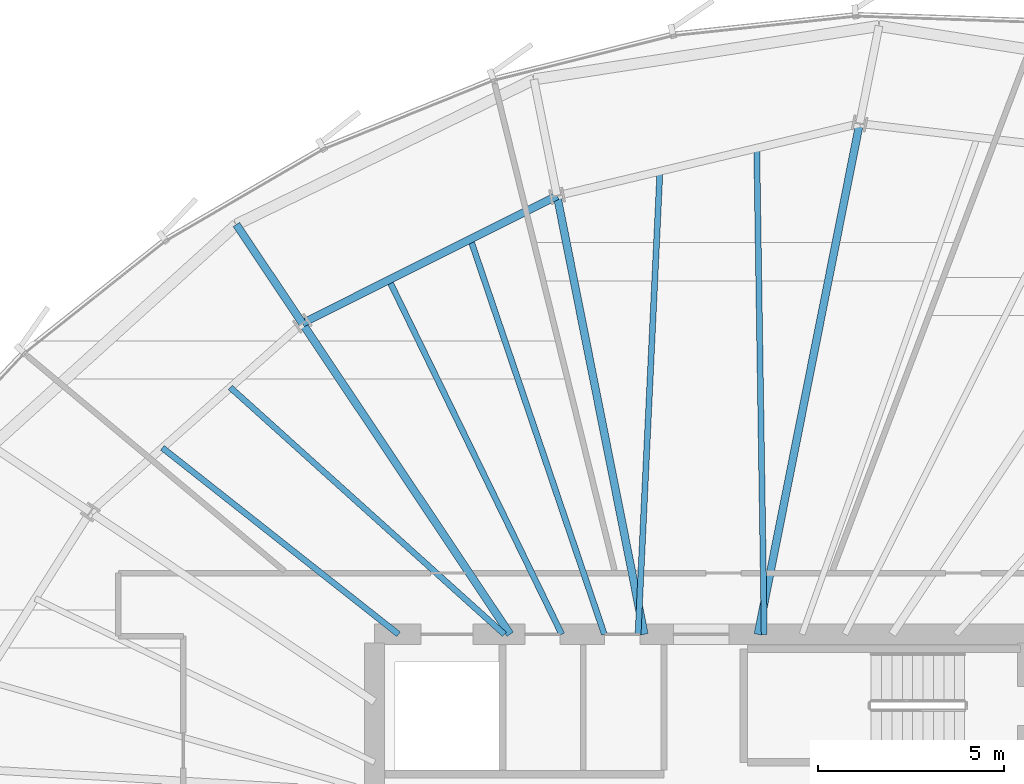
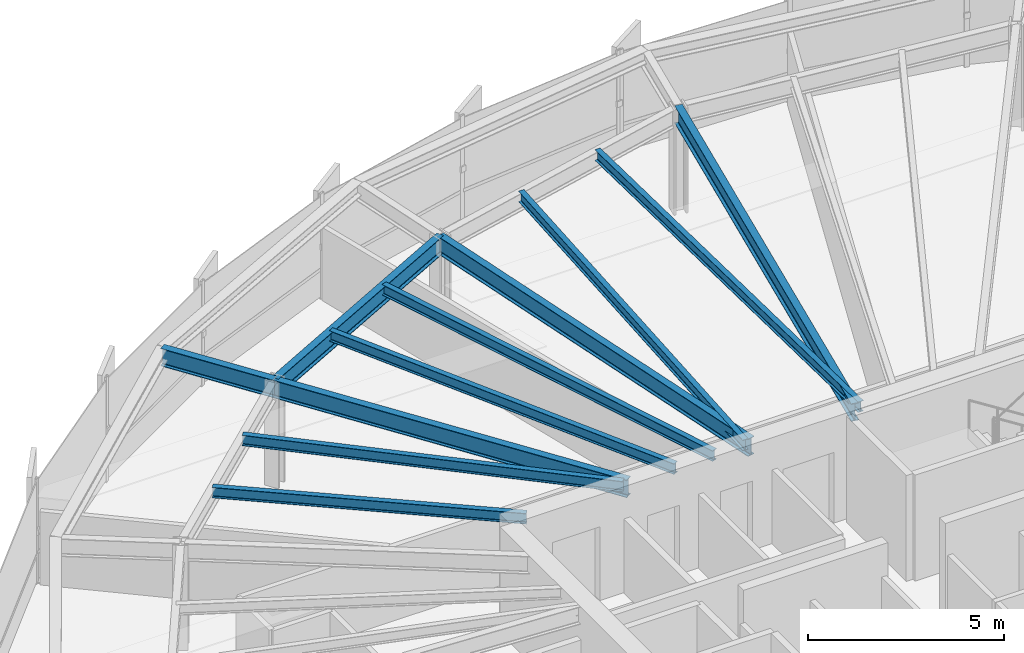
# One storey, part 21 of 35: 11 beams.
"""IFC4 building model written with IfcOpenShell, lengths in metres."""

from ifc_helpers import new_model, si_unit, direction, frame, origin, origin_2d, place, context, subcontext, project, spatial, i_section, extrude, source, transform, mapped, material, material_profile, profile_set, type_object, element, save


model = new_model("IFC4")

# Units and contexts
model_context = context("Model", 3, precision=1e-05, world=origin(), true_north=direction((0.0, 1.0)))
body_context = subcontext(model_context, "Body", "Model", "MODEL_VIEW")
ifc_project = project(units=[si_unit("LENGTHUNIT", "METRE"), si_unit("AREAUNIT", "SQUARE_METRE"), si_unit("VOLUMEUNIT", "CUBIC_METRE"), si_unit("PLANEANGLEUNIT", "RADIAN"), si_unit("MASSUNIT", "GRAM", prefix="KILO"), si_unit("THERMODYNAMICTEMPERATUREUNIT", "KELVIN")], contexts=[model_context])

# Site, building, storey
site_placement = place(None, origin())
site = spatial("IfcSite", under=ifc_project, at=site_placement, CompositionType="ELEMENT")
building_placement = place(site_placement, origin())
building = spatial("IfcBuilding", under=site, at=building_placement, Name="Kethvar Cultural Tower", CompositionType="ELEMENT")
storey_placement = place(building_placement, frame((0.0, 0.0, 139.449951171875)))
storey = spatial("IfcBuildingStorey", under=building, at=storey_placement, Name="L35", CompositionType="ELEMENT", Elevation=139.449951171875)

# Beams
ifc_material = material(Name="Steel S355J2", Category="steel")
ifc_material_profile_1 = material_profile(ifc_material, i_section(OverallWidth=0.2099609375, OverallDepth=0.550048828125, WebThickness=0.010986328125, FlangeThickness=0.01708984375, FilletRadius=0.02392578125, at=origin_2d()), Name="Steel S355J2 — IPE550")
ifc_profile_set_1 = profile_set([ifc_material_profile_1], Name="Steel S355J2 — IPE550")
beam_type_1 = type_object("IfcBeamType", Name="BM-IPE550", PredefinedType="BEAM", material=ifc_profile_set_1)
shared_shape_1 = source(origin(), body_context, "Body", "SweptSolid", [
    extrude(i_section(OverallWidth=0.2099609375, OverallDepth=0.550048828125, WebThickness=0.010986328125, FlangeThickness=0.01708984375, FilletRadius=0.02392578125, at=origin_2d()), origin(), (0.0, 0.0, 1.0), 3.2001953125),
])
beam_1_placement = place(storey_placement, frame((36.0576171875, 43.877197265625, 3.02294921875), z_axis=(-0.555544970406, 0.831486491686, 0.0), x_axis=(-0.831486491686, -0.555544970406, 0.0)))
element("IfcBeam", 1, at=beam_1_placement, inside=storey, type_object=beam_type_1, Name="L35 Perimeter Cantilever Beam RC-06", PredefinedType="BEAM", context=body_context, shape_type="MappedRepresentation", body=[
    mapped(shared_shape_1, transform((0.0, 0.0, 0.0), scale=1.0)),
])
shared_shape_2 = source(origin(), body_context, "Body", "SweptSolid", [
    extrude(i_section(OverallWidth=0.2099609375, OverallDepth=0.550048828125, WebThickness=0.010986328125, FlangeThickness=0.01708984375, FilletRadius=0.02392578125, at=origin_2d()), origin(), (0.0, 0.0, 1.0), 14.02880859375),
])
beam_2_placement = place(storey_placement, frame((48.33154296875, 35.5, 3.02294921875), z_axis=(0.195101986683, 0.980782960085, 0.0), x_axis=(-0.980782960085, 0.195101986683, 0.0)))
element("IfcBeam", 2, at=beam_2_placement, inside=storey, type_object=beam_type_1, Name="L35 Primary Radial Beam RB-04", PredefinedType="BEAM", context=body_context, shape_type="MappedRepresentation", body=[
    mapped(shared_shape_2, transform((0.0, 0.0, 0.0), scale=1.0)),
])
shared_shape_3 = source(origin(), body_context, "Body", "SweptSolid", [
    extrude(i_section(OverallWidth=0.2099609375, OverallDepth=0.550048828125, WebThickness=0.010986328125, FlangeThickness=0.01708984375, FilletRadius=0.02392578125, at=origin_2d()), origin(), (0.0, 0.0, 1.0), 12.042724609375),
])
beam_3_placement = place(storey_placement, frame((45.268310546875, 35.5, 3.02294921875), z_axis=(-0.195086784047, 0.980785984142, 0.0), x_axis=(-0.980785984142, -0.195086784047, 0.0)))
element("IfcBeam", 3, at=beam_3_placement, inside=storey, type_object=beam_type_1, Name="L35 Primary Radial Beam RB-05", PredefinedType="BEAM", context=body_context, shape_type="MappedRepresentation", body=[
    mapped(shared_shape_3, transform((0.0, 0.0, 0.0), scale=1.0)),
])
shared_shape_4 = source(origin(), body_context, "Body", "SweptSolid", [
    extrude(i_section(OverallWidth=0.2099609375, OverallDepth=0.550048828125, WebThickness=0.010986328125, FlangeThickness=0.01708984375, FilletRadius=0.02392578125, at=origin_2d()), origin(), (0.0, 0.0, 1.0), 10.0751953125),
])
beam_4_placement = place(storey_placement, frame((41.655029296875, 35.5, 3.02294921875), z_axis=(-0.555566654614, 0.831472003305, 0.0), x_axis=(-0.831472003305, -0.555566654614, 0.0)))
element("IfcBeam", 4, at=beam_4_placement, inside=storey, type_object=beam_type_1, Name="L35 Primary Radial Beam RB-06", PredefinedType="BEAM", context=body_context, shape_type="MappedRepresentation", body=[
    mapped(shared_shape_4, transform((0.0, 0.0, 0.0), scale=1.0)),
])
ifc_material_profile_2 = material_profile(ifc_material, i_section(OverallWidth=0.159912109375, OverallDepth=0.330078125, WebThickness=0.007568359375, FlangeThickness=0.011474609375, FilletRadius=0.01806640625, at=origin_2d()), Name="Steel S355J2 — IPE330")
ifc_profile_set_2 = profile_set([ifc_material_profile_2], Name="Steel S355J2 — IPE330")
beam_type_2 = type_object("IfcBeamType", Name="BM-J330", PredefinedType="JOIST", material=ifc_profile_set_2)
shared_shape_5 = source(origin(), body_context, "Body", "SweptSolid", [
    extrude(i_section(OverallWidth=0.159912109375, OverallDepth=0.330078125, WebThickness=0.007568359375, FlangeThickness=0.011474609375, FilletRadius=0.01806640625, at=origin_2d()), origin(), (0.0, 0.0, 1.0), 13.098388671875),
])
beam_5_placement = place(storey_placement, frame((48.5, 35.5, 3.133056640625), z_axis=(-0.015451599057, 0.999880616917, 0.0), x_axis=(-0.999880616917, -0.015451599057, 0.0)))
element("IfcBeam", 5, at=beam_5_placement, inside=storey, type_object=beam_type_2, Name="L35 Composite Floor Joist J-04A", PredefinedType="JOIST", context=body_context, shape_type="MappedRepresentation", body=[
    mapped(shared_shape_5, transform((0.0, 0.0, 0.0), scale=1.0)),
])
shared_shape_6 = source(origin(), body_context, "Body", "SweptSolid", [
    extrude(i_section(OverallWidth=0.159912109375, OverallDepth=0.330078125, WebThickness=0.007568359375, FlangeThickness=0.011474609375, FilletRadius=0.01806640625, at=origin_2d()), origin(), (0.0, 0.0, 1.0), 12.487548828125),
])
beam_6_placement = place(storey_placement, frame((45.10009765625, 35.5, 3.133056640625), z_axis=(0.047214958818, 0.998884751943, 0.0), x_axis=(-0.998884751943, 0.047214958818, 0.0)))
element("IfcBeam", 6, at=beam_6_placement, inside=storey, type_object=beam_type_2, Name="L35 Composite Floor Joist J-04B", PredefinedType="JOIST", context=body_context, shape_type="MappedRepresentation", body=[
    mapped(shared_shape_6, transform((0.0, 0.0, 0.0), scale=1.0)),
])
shared_shape_7 = source(origin(), body_context, "Body", "SweptSolid", [
    extrude(i_section(OverallWidth=0.2099609375, OverallDepth=0.550048828125, WebThickness=0.010986328125, FlangeThickness=0.01708984375, FilletRadius=0.02392578125, at=origin_2d()), origin(), (0.0, 0.0, 1.0), 7.672607421875),
])
beam_7_placement = place(storey_placement, frame((42.9189453125, 47.311279296875, 3.02294921875), z_axis=(-0.894248932057, -0.447569935892, 0.0), x_axis=(0.447569935892, -0.894248932057, 0.0)))
element("IfcBeam", 7, at=beam_7_placement, inside=storey, type_object=beam_type_1, Name="L35 Column Ring Tie Beam CR-05", PredefinedType="BEAM", context=body_context, shape_type="MappedRepresentation", body=[
    mapped(shared_shape_7, transform((0.0, 0.0, 0.0), scale=1.0)),
])
shared_shape_8 = source(origin(), body_context, "Body", "SweptSolid", [
    extrude(i_section(OverallWidth=0.159912109375, OverallDepth=0.330078125, WebThickness=0.007568359375, FlangeThickness=0.011474609375, FilletRadius=0.01806640625, at=origin_2d()), origin(), (0.0, 0.0, 1.0), 11.23779296875),
])
beam_8_placement = place(storey_placement, frame((44.191650390625, 35.5, 3.133056640625), z_axis=(-0.32083186626, 0.94713616423, 0.0), x_axis=(-0.94713616423, -0.32083186626, 0.0)))
element("IfcBeam", 8, at=beam_8_placement, inside=storey, type_object=beam_type_2, Name="L35 Composite Floor Joist J-05A", PredefinedType="JOIST", context=body_context, shape_type="MappedRepresentation", body=[
    mapped(shared_shape_8, transform((0.0, 0.0, 0.0), scale=1.0)),
])
shared_shape_9 = source(origin(), body_context, "Body", "SweptSolid", [
    extrude(i_section(OverallWidth=0.159912109375, OverallDepth=0.330078125, WebThickness=0.007568359375, FlangeThickness=0.011474609375, FilletRadius=0.01806640625, at=origin_2d()), origin(), (0.0, 0.0, 1.0), 10.619384765625),
])
beam_9_placement = place(storey_placement, frame((43.044921875, 35.5, 3.133056640625), z_axis=(-0.438308125028, 0.898824781331, 0.0), x_axis=(-0.898824781331, -0.438308125028, 0.0)))
element("IfcBeam", 9, at=beam_9_placement, inside=storey, type_object=beam_type_2, Name="L35 Composite Floor Joist J-05B", PredefinedType="JOIST", context=body_context, shape_type="MappedRepresentation", body=[
    mapped(shared_shape_9, transform((0.0, 0.0, 0.0), scale=1.0)),
])
shared_shape_10 = source(origin(), body_context, "Body", "SweptSolid", [
    extrude(i_section(OverallWidth=0.159912109375, OverallDepth=0.330078125, WebThickness=0.007568359375, FlangeThickness=0.011474609375, FilletRadius=0.01806640625, at=origin_2d()), origin(), (0.0, 0.0, 1.0), 9.93701171875),
])
beam_10_placement = place(storey_placement, frame((41.5, 35.5, 3.133056640625), z_axis=(-0.743138974967, 0.669137103952, 0.0), x_axis=(-0.669137103952, -0.743138974967, 0.0)))
element("IfcBeam", 10, at=beam_10_placement, inside=storey, type_object=beam_type_2, Name="L35 Composite Floor Joist J-06A", PredefinedType="JOIST", context=body_context, shape_type="MappedRepresentation", body=[
    mapped(shared_shape_10, transform((0.0, 0.0, 0.0), scale=1.0)),
])
shared_shape_11 = source(origin(), body_context, "Body", "SweptSolid", [
    extrude(i_section(OverallWidth=0.159912109375, OverallDepth=0.330078125, WebThickness=0.007568359375, FlangeThickness=0.011474609375, FilletRadius=0.01806640625, at=origin_2d()), origin(), (0.0, 0.0, 1.0), 8.105712890625),
])
beam_11_placement = place(storey_placement, frame((38.64990234375, 35.5, 3.133056640625), z_axis=(-0.784895872164, 0.619627686486, 0.0), x_axis=(-0.619627686486, -0.784895872164, 0.0)))
element("IfcBeam", 11, at=beam_11_placement, inside=storey, type_object=beam_type_2, Name="L35 Composite Floor Joist J-06B", PredefinedType="JOIST", context=body_context, shape_type="MappedRepresentation", body=[
    mapped(shared_shape_11, transform((0.0, 0.0, 0.0), scale=1.0)),
])

save(model, "model.ifc")
